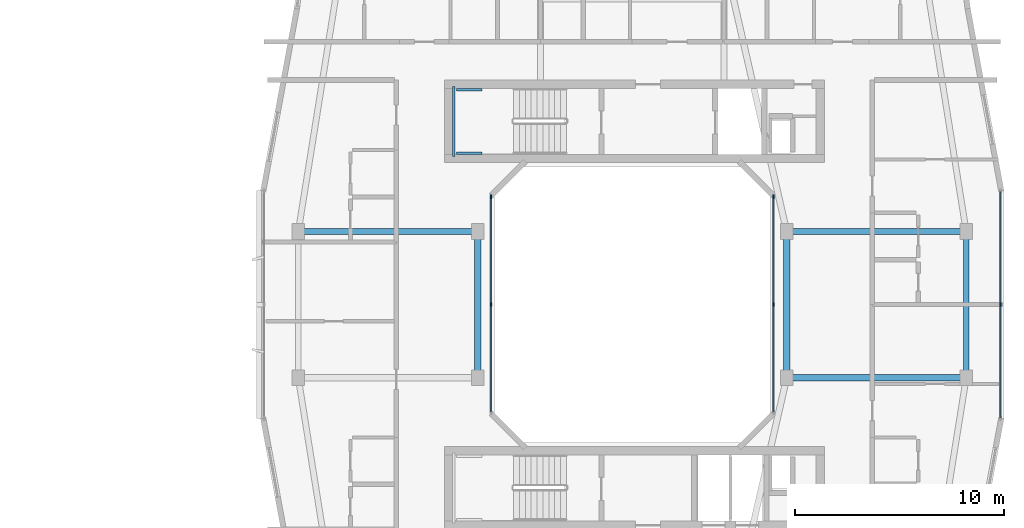
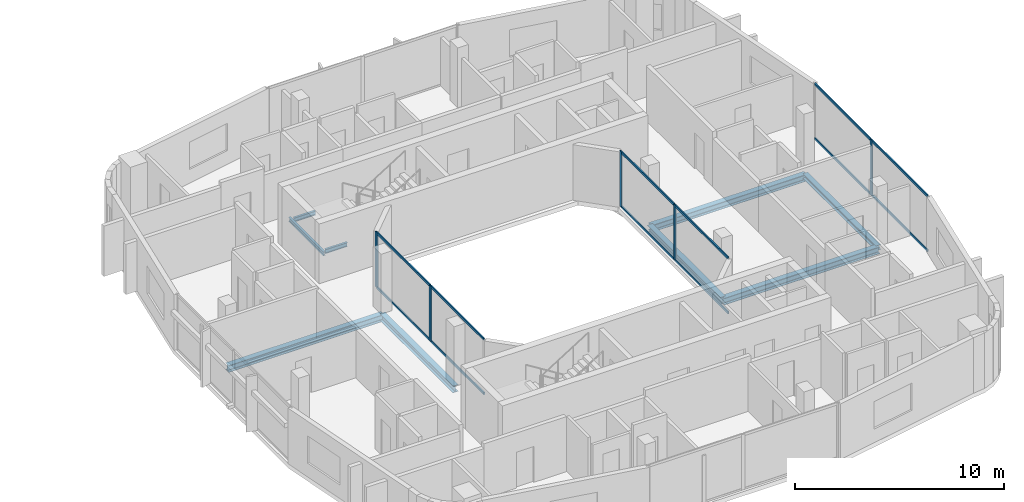
# One storey, part 9 of 26: 17 members, 9 beams, 3 elements without a shape of their own.
"""IFC4 building model written with IfcOpenShell, lengths in metres."""

from ifc_helpers import new_model, si_unit, derived_unit, direction, frame, origin, origin_2d, place, context, subcontext, project, spatial, rectangle, i_section, extrude, material, layer, layer_set, material_profile, profile_set, type_object, element, aggregate, save


model = new_model("IFC4")

# Units and contexts
model_context = context("Model", 3, precision=1e-05, world=origin(), true_north=direction((0.0, 1.0)))
body_context = subcontext(model_context, "Body", "Model", "MODEL_VIEW")
ifc_project = project(units=[si_unit("LENGTHUNIT", "METRE"), si_unit("AREAUNIT", "SQUARE_METRE"), si_unit("VOLUMEUNIT", "CUBIC_METRE"), si_unit("PLANEANGLEUNIT", "RADIAN"), si_unit("MASSUNIT", "GRAM", prefix="KILO"), derived_unit("THERMALTRANSMITTANCEUNIT", [(si_unit("POWERUNIT", "WATT"), 1), (si_unit("LENGTHUNIT", "METRE"), -2), (si_unit("THERMODYNAMICTEMPERATUREUNIT", "KELVIN"), -1)])], contexts=[model_context])

# Site, building, storey
site_placement = place(None, origin())
site = spatial("IfcSite", under=ifc_project, at=site_placement, CompositionType="ELEMENT")
building_placement = place(site_placement, origin())
building = spatial("IfcBuilding", under=site, at=building_placement, Name="Kivonza Crest Hotel", CompositionType="ELEMENT")
storey_placement = place(building_placement, frame((0.0, 0.0, 105.5)))
storey = spatial("IfcBuildingStorey", under=building, at=storey_placement, Name="L28", CompositionType="ELEMENT", Elevation=105.5)

# Beams
ifc_material_1 = material(Name="Steel S355", Category="steel")
ifc_material_profile_1 = material_profile(ifc_material_1, i_section(OverallWidth=0.280029296875, OverallDepth=0.280029296875, WebThickness=0.010498046875, FlangeThickness=0.01806640625, FilletRadius=0.02392578125, at=origin_2d()), Name="HEB 280")
ifc_profile_set_1 = profile_set([ifc_material_profile_1], Name="Steel S355")
beam_type_1 = type_object("IfcBeamType", Name="BM-HEB280", PredefinedType="SPANDREL", material=ifc_profile_set_1)
beam_1_placement = place(storey_placement, frame((93.0, 21.5, -0.389892578125), z_axis=(0.0, 1.0, 0.0), x_axis=(-1.0, 0.0, 0.0)))
element("IfcBeam", 1, at=beam_1_placement, inside=storey, type_object=beam_type_1, Name="Companion Tower T2 L28 perimeter spandrel E1-E2", PredefinedType="SPANDREL", context=body_context, shape_type="SweptSolid", body=[
    extrude(i_section(OverallWidth=0.280029296875, OverallDepth=0.280029296875, WebThickness=0.010498046875, FlangeThickness=0.01806640625, FilletRadius=0.02392578125, at=origin_2d()), origin(), (0.0, 0.0, 1.0), 7.0),
])
ifc_material_profile_2 = material_profile(ifc_material_1, i_section(OverallWidth=0.300048828125, OverallDepth=0.39990234375, WebThickness=0.013427734375, FlangeThickness=0.02392578125, FilletRadius=0.027099609375, at=origin_2d()), Name="HEB 400")
ifc_profile_set_2 = profile_set([ifc_material_profile_2], Name="Steel S355")
beam_type_2 = type_object("IfcBeamType", Name="BM-HEB400", PredefinedType="BEAM", material=ifc_profile_set_2)
beam_2_placement = place(storey_placement, frame((61.0, 28.5, -0.449951171875), z_axis=(1.0, 0.0, 0.0), x_axis=(0.0, 1.0, 0.0)))
element("IfcBeam", 2, at=beam_2_placement, inside=storey, type_object=beam_type_2, Name="Companion Tower T2 L28 girder W2-WL2", PredefinedType="BEAM", context=body_context, shape_type="SweptSolid", body=[
    extrude(i_section(OverallWidth=0.300048828125, OverallDepth=0.39990234375, WebThickness=0.013427734375, FlangeThickness=0.02392578125, FilletRadius=0.027099609375, at=origin_2d()), origin(), (0.0, 0.0, 1.0), 8.60009765625),
])
beam_3_placement = place(storey_placement, frame((69.60009765625, 21.5, -0.449951171875), z_axis=(0.0, 1.0, 0.0), x_axis=(-1.0, 0.0, 0.0)))
element("IfcBeam", 3, at=beam_3_placement, inside=storey, type_object=beam_type_2, Name="Companion Tower T2 L28 girder WL1-WL2", PredefinedType="BEAM", context=body_context, shape_type="SweptSolid", body=[
    extrude(i_section(OverallWidth=0.300048828125, OverallDepth=0.39990234375, WebThickness=0.013427734375, FlangeThickness=0.02392578125, FilletRadius=0.027099609375, at=origin_2d()), origin(), (0.0, 0.0, 1.0), 7.0),
])
for number, where, z_axis, x_axis, name in (
    (4, (84.39990234375, 21.5, -0.449951171875), (1.0, 0.0, 0.0), (0.0, 1.0, 0.0), "Companion Tower T2 L28 girder WR1-E1"),
    (5, (84.39990234375, 28.5, -0.449951171875), (1.0, 0.0, 0.0), (0.0, 1.0, 0.0), "Companion Tower T2 L28 girder WR2-E2"),
):
    element("IfcBeam", number, at=place(storey_placement, frame(where, z_axis=z_axis, x_axis=x_axis)), inside=storey, type_object=beam_type_2, Name=name, PredefinedType="BEAM", context=body_context, shape_type="SweptSolid", body=[
        extrude(i_section(OverallWidth=0.300048828125, OverallDepth=0.39990234375, WebThickness=0.013427734375, FlangeThickness=0.02392578125, FilletRadius=0.027099609375, at=origin_2d()), origin(), (0.0, 0.0, 1.0), 8.60009765625),
    ])
beam_4_placement = place(storey_placement, frame((84.39990234375, 21.5, -0.449951171875), z_axis=(0.0, 1.0, 0.0), x_axis=(-1.0, 0.0, 0.0)))
element("IfcBeam", 6, at=beam_4_placement, inside=storey, type_object=beam_type_2, Name="Companion Tower T2 L28 girder WR1-WR2", PredefinedType="BEAM", context=body_context, shape_type="SweptSolid", body=[
    extrude(i_section(OverallWidth=0.300048828125, OverallDepth=0.39990234375, WebThickness=0.013427734375, FlangeThickness=0.02392578125, FilletRadius=0.027099609375, at=origin_2d()), origin(), (0.0, 0.0, 1.0), 7.0),
])
ifc_material_profile_3 = material_profile(ifc_material_1, i_section(OverallWidth=0.1201171875, OverallDepth=0.239990234375, WebThickness=0.006103515625, FlangeThickness=0.009765625, FilletRadius=0.014892578125, at=origin_2d()), Name="IPE 240")
ifc_profile_set_3 = profile_set([ifc_material_profile_3], Name="Steel S355")
beam_type_3 = type_object("IfcBeamType", Name="BM-LLDG-240", PredefinedType="BEAM", material=ifc_profile_set_3)
beam_5_placement = place(storey_placement, frame((68.4599609375, 32.10009765625, 1.429931640625), z_axis=(0.0, 1.0, 0.0), x_axis=(-1.0, 0.0, 0.0)))
element("IfcBeam", 7, at=beam_5_placement, inside=storey, type_object=beam_type_3, Name="Stair ST-T2-N L28 West landing corbel", PredefinedType="BEAM", context=body_context, shape_type="SweptSolid", body=[
    extrude(i_section(OverallWidth=0.1201171875, OverallDepth=0.239990234375, WebThickness=0.006103515625, FlangeThickness=0.009765625, FilletRadius=0.014892578125, at=origin_2d()), origin(), (0.0, 0.0, 1.0), 3.35986328125),
])
for number, where, z_axis, x_axis, name in (
    (8, (68.590087890625, 32.260009765625, 1.429931640625), (1.0, 0.0, 0.0), (0.0, 1.0, 0.0), "Stair ST-T2-N L28 South landing corbel"),
    (9, (68.590087890625, 35.300048828125, 1.429931640625), (1.0, 0.0, 0.0), (0.0, 1.0, 0.0), "Stair ST-T2-N L28 North landing corbel"),
):
    element("IfcBeam", number, at=place(storey_placement, frame(where, z_axis=z_axis, x_axis=x_axis)), inside=storey, type_object=beam_type_3, Name=name, PredefinedType="BEAM", context=body_context, shape_type="SweptSolid", body=[
        extrude(i_section(OverallWidth=0.1201171875, OverallDepth=0.239990234375, WebThickness=0.006103515625, FlangeThickness=0.009765625, FilletRadius=0.014892578125, at=origin_2d()), origin(), (0.0, 0.0, 1.0), 1.2099609375),
    ])

# Curtain wall, member
ifc_material_2 = material(Name="Anodised bronze aluminium and low-E double glazing", Category="aluminium")
ifc_layer_1 = layer(ifc_material_2, 0.179931640625)
ifc_layer_set_1 = layer_set([ifc_layer_1], Name="Anodised bronze aluminium and low-E double glazing")
curtain_wall_type_1 = type_object("IfcCurtainWallType", Name="CW-SYS-4", PredefinedType="NOTDEFINED", material=ifc_layer_set_1)
curtain_wall_1_placement = place(storey_placement, origin())
curtain_wall_1 = element("IfcCurtainWall", 10, at=curtain_wall_1_placement, inside=storey, type_object=curtain_wall_type_1, Name="L28 unitised curtain wall CW-T2-L28-17", PredefinedType="NOTDEFINED")
ifc_material_3 = material(Name="Anodised bronze aluminium", Category="aluminium")
ifc_material_profile_4 = material_profile(ifc_material_3, rectangle(XDim=0.06494140625, YDim=0.179931640625, at=origin_2d()), Name="CW-M 65x180")
ifc_profile_set_4 = profile_set([ifc_material_profile_4], Name="Anodised bronze aluminium")
member_type_1 = type_object("IfcMemberType", Name="CW-MUL-65x180", PredefinedType="MULLION", material=ifc_profile_set_4)
member_1_placement = place(storey_placement, frame((94.639892578125, 25.0, 0.0), z_axis=(0.0, 0.0, 1.0), x_axis=(-1.0, 0.0, 0.0)))
member_1 = element("IfcMember", 11, at=member_1_placement, type_object=member_type_1, Name="CW-4 mullion 2", PredefinedType="MULLION", context=body_context, shape_type="SweptSolid", body=[
    extrude(rectangle(XDim=0.06494140625, YDim=0.179931640625, at=origin_2d()), origin(), (0.0, 0.0, 1.0), 3.25),
])

# Curtain wall, members
ifc_layer_2 = layer(ifc_material_2, 0.159912109375)
ifc_layer_set_2 = layer_set([ifc_layer_2], Name="Anodised bronze aluminium and low-E double glazing")
curtain_wall_type_2 = type_object("IfcCurtainWallType", Name="CW-SYS-5", PredefinedType="NOTDEFINED", material=ifc_layer_set_2)
curtain_wall_2_placement = place(storey_placement, origin())
curtain_wall_2 = element("IfcCurtainWall", 12, at=curtain_wall_2_placement, inside=storey, type_object=curtain_wall_type_2, Name="L28 unitised curtain wall CW-WELL-T2-L28-3", PredefinedType="NOTDEFINED")
member_2_placement = place(storey_placement, frame((83.760009765625, 25.0, 0.0), z_axis=(0.0, 0.0, 1.0), x_axis=(-1.0, 0.0, 0.0)))
member_2 = element("IfcMember", 13, at=member_2_placement, type_object=member_type_1, Name="CW-5 mullion 2", PredefinedType="MULLION", context=body_context, shape_type="SweptSolid", body=[
    extrude(rectangle(XDim=0.06494140625, YDim=0.179931640625, at=origin_2d()), origin(), (0.0, 0.0, 1.0), 3.25),
])
member_3_placement = place(storey_placement, frame((83.760009765625, 30.16748046875, 0.0), z_axis=(0.0, 0.0, 1.0), x_axis=(-1.0, 0.0, 0.0)))
member_3 = element("IfcMember", 14, at=member_3_placement, type_object=member_type_1, Name="CW-5 mullion 3", PredefinedType="MULLION", context=body_context, shape_type="SweptSolid", body=[
    extrude(rectangle(XDim=0.06494140625, YDim=0.179931640625, at=origin_2d()), origin(), (0.0, 0.0, 1.0), 3.25),
])

curtain_wall_3_placement = place(storey_placement, origin())
curtain_wall_3 = element("IfcCurtainWall", 15, at=curtain_wall_3_placement, inside=storey, type_object=curtain_wall_type_2, Name="L28 unitised curtain wall CW-WELL-T2-L28-7", PredefinedType="NOTDEFINED")
member_4_placement = place(storey_placement, frame((70.239990234375, 30.16748046875, 0.0), z_axis=(0.0, 0.0, 1.0), x_axis=(1.0, 0.0, 0.0)))
member_4 = element("IfcMember", 16, at=member_4_placement, type_object=member_type_1, Name="CW-5 mullion 1", PredefinedType="MULLION", context=body_context, shape_type="SweptSolid", body=[
    extrude(rectangle(XDim=0.06494140625, YDim=0.179931640625, at=origin_2d()), origin(), (0.0, 0.0, 1.0), 3.25),
])
member_5_placement = place(storey_placement, frame((70.239990234375, 25.0, 0.0), z_axis=(0.0, 0.0, 1.0), x_axis=(1.0, 0.0, 0.0)))
member_5 = element("IfcMember", 17, at=member_5_placement, type_object=member_type_1, Name="CW-5 mullion 2", PredefinedType="MULLION", context=body_context, shape_type="SweptSolid", body=[
    extrude(rectangle(XDim=0.06494140625, YDim=0.179931640625, at=origin_2d()), origin(), (0.0, 0.0, 1.0), 3.25),
])

# Member
ifc_material_profile_5 = material_profile(ifc_material_3, rectangle(XDim=0.06494140625, YDim=0.139892578125, at=origin_2d()), Name="CW-T 65x140")
ifc_profile_set_5 = profile_set([ifc_material_profile_5], Name="Anodised bronze aluminium")
member_type_2 = type_object("IfcMemberType", Name="CW-TRN-65x140", PredefinedType="USERDEFINED", material=ifc_profile_set_5)
member_6_placement = place(storey_placement, frame((94.639892578125, 19.5849609375, 0.032470703125), z_axis=(0.0, 1.0, 0.0), x_axis=(-1.0, 0.0, 0.0)))
member_6 = element("IfcMember", 18, at=member_6_placement, type_object=member_type_2, Name="CW-4 transom 1.1", ObjectType="TRANSOM", PredefinedType="USERDEFINED", context=body_context, shape_type="SweptSolid", body=[
    extrude(rectangle(XDim=0.06494140625, YDim=0.139892578125, at=origin_2d()), origin(), (0.0, 0.0, 1.0), 5.382568359375),
])

member_7_placement = place(storey_placement, frame((94.639892578125, 19.5849609375, 3.217529296875), z_axis=(0.0, 1.0, 0.0), x_axis=(-1.0, 0.0, 0.0)))
member_7 = element("IfcMember", 19, at=member_7_placement, type_object=member_type_2, Name="CW-4 transom 1.2", ObjectType="TRANSOM", PredefinedType="USERDEFINED", context=body_context, shape_type="SweptSolid", body=[
    extrude(rectangle(XDim=0.06494140625, YDim=0.139892578125, at=origin_2d()), origin(), (0.0, 0.0, 1.0), 5.382568359375),
])

member_8_placement = place(storey_placement, frame((94.639892578125, 25.032470703125, 0.032470703125), z_axis=(0.0, 1.0, 0.0), x_axis=(-1.0, 0.0, 0.0)))
member_8 = element("IfcMember", 20, at=member_8_placement, type_object=member_type_2, Name="CW-4 transom 2.1", ObjectType="TRANSOM", PredefinedType="USERDEFINED", context=body_context, shape_type="SweptSolid", body=[
    extrude(rectangle(XDim=0.06494140625, YDim=0.139892578125, at=origin_2d()), origin(), (0.0, 0.0, 1.0), 5.382568359375),
])

member_9_placement = place(storey_placement, frame((94.639892578125, 25.032470703125, 3.217529296875), z_axis=(0.0, 1.0, 0.0), x_axis=(-1.0, 0.0, 0.0)))
member_9 = element("IfcMember", 21, at=member_9_placement, type_object=member_type_2, Name="CW-4 transom 2.2", ObjectType="TRANSOM", PredefinedType="USERDEFINED", context=body_context, shape_type="SweptSolid", body=[
    extrude(rectangle(XDim=0.06494140625, YDim=0.139892578125, at=origin_2d()), origin(), (0.0, 0.0, 1.0), 5.382568359375),
])

aggregate(curtain_wall_1, [member_1, member_6, member_7, member_8, member_9])

member_10_placement = place(storey_placement, frame((83.760009765625, 19.864990234375, 0.032470703125), z_axis=(0.0, 1.0, 0.0), x_axis=(-1.0, 0.0, 0.0)))
member_10 = element("IfcMember", 22, at=member_10_placement, type_object=member_type_2, Name="CW-5 transom 1.1", ObjectType="TRANSOM", PredefinedType="USERDEFINED", context=body_context, shape_type="SweptSolid", body=[
    extrude(rectangle(XDim=0.06494140625, YDim=0.139892578125, at=origin_2d()), origin(), (0.0, 0.0, 1.0), 5.1025390625),
])

member_11_placement = place(storey_placement, frame((83.760009765625, 19.864990234375, 3.217529296875), z_axis=(0.0, 1.0, 0.0), x_axis=(-1.0, 0.0, 0.0)))
member_11 = element("IfcMember", 23, at=member_11_placement, type_object=member_type_2, Name="CW-5 transom 1.2", ObjectType="TRANSOM", PredefinedType="USERDEFINED", context=body_context, shape_type="SweptSolid", body=[
    extrude(rectangle(XDim=0.06494140625, YDim=0.139892578125, at=origin_2d()), origin(), (0.0, 0.0, 1.0), 5.1025390625),
])

member_12_placement = place(storey_placement, frame((83.760009765625, 25.032470703125, 0.032470703125), z_axis=(0.0, 1.0, 0.0), x_axis=(-1.0, 0.0, 0.0)))
member_12 = element("IfcMember", 24, at=member_12_placement, type_object=member_type_2, Name="CW-5 transom 2.1", ObjectType="TRANSOM", PredefinedType="USERDEFINED", context=body_context, shape_type="SweptSolid", body=[
    extrude(rectangle(XDim=0.06494140625, YDim=0.139892578125, at=origin_2d()), origin(), (0.0, 0.0, 1.0), 5.1025390625),
])

member_13_placement = place(storey_placement, frame((83.760009765625, 25.032470703125, 3.217529296875), z_axis=(0.0, 1.0, 0.0), x_axis=(-1.0, 0.0, 0.0)))
member_13 = element("IfcMember", 25, at=member_13_placement, type_object=member_type_2, Name="CW-5 transom 2.2", ObjectType="TRANSOM", PredefinedType="USERDEFINED", context=body_context, shape_type="SweptSolid", body=[
    extrude(rectangle(XDim=0.06494140625, YDim=0.139892578125, at=origin_2d()), origin(), (0.0, 0.0, 1.0), 5.1025390625),
])

aggregate(curtain_wall_2, [member_2, member_3, member_10, member_11, member_12, member_13])

member_14_placement = place(storey_placement, frame((70.239990234375, 30.135009765625, 0.032470703125), z_axis=(0.0, -1.0, 0.0), x_axis=(1.0, 0.0, 0.0)))
member_14 = element("IfcMember", 26, at=member_14_placement, type_object=member_type_2, Name="CW-5 transom 1.1", ObjectType="TRANSOM", PredefinedType="USERDEFINED", context=body_context, shape_type="SweptSolid", body=[
    extrude(rectangle(XDim=0.06494140625, YDim=0.139892578125, at=origin_2d()), origin(), (0.0, 0.0, 1.0), 5.1025390625),
])

member_15_placement = place(storey_placement, frame((70.239990234375, 30.135009765625, 3.217529296875), z_axis=(0.0, -1.0, 0.0), x_axis=(1.0, 0.0, 0.0)))
member_15 = element("IfcMember", 27, at=member_15_placement, type_object=member_type_2, Name="CW-5 transom 1.2", ObjectType="TRANSOM", PredefinedType="USERDEFINED", context=body_context, shape_type="SweptSolid", body=[
    extrude(rectangle(XDim=0.06494140625, YDim=0.139892578125, at=origin_2d()), origin(), (0.0, 0.0, 1.0), 5.1025390625),
])

member_16_placement = place(storey_placement, frame((70.239990234375, 24.967529296875, 0.032470703125), z_axis=(0.0, -1.0, 0.0), x_axis=(1.0, 0.0, 0.0)))
member_16 = element("IfcMember", 28, at=member_16_placement, type_object=member_type_2, Name="CW-5 transom 2.1", ObjectType="TRANSOM", PredefinedType="USERDEFINED", context=body_context, shape_type="SweptSolid", body=[
    extrude(rectangle(XDim=0.06494140625, YDim=0.139892578125, at=origin_2d()), origin(), (0.0, 0.0, 1.0), 5.1025390625),
])

member_17_placement = place(storey_placement, frame((70.239990234375, 24.967529296875, 3.217529296875), z_axis=(0.0, -1.0, 0.0), x_axis=(1.0, 0.0, 0.0)))
member_17 = element("IfcMember", 29, at=member_17_placement, type_object=member_type_2, Name="CW-5 transom 2.2", ObjectType="TRANSOM", PredefinedType="USERDEFINED", context=body_context, shape_type="SweptSolid", body=[
    extrude(rectangle(XDim=0.06494140625, YDim=0.139892578125, at=origin_2d()), origin(), (0.0, 0.0, 1.0), 5.1025390625),
])

aggregate(curtain_wall_3, [member_4, member_5, member_14, member_15, member_16, member_17])

save(model, "model.ifc")
